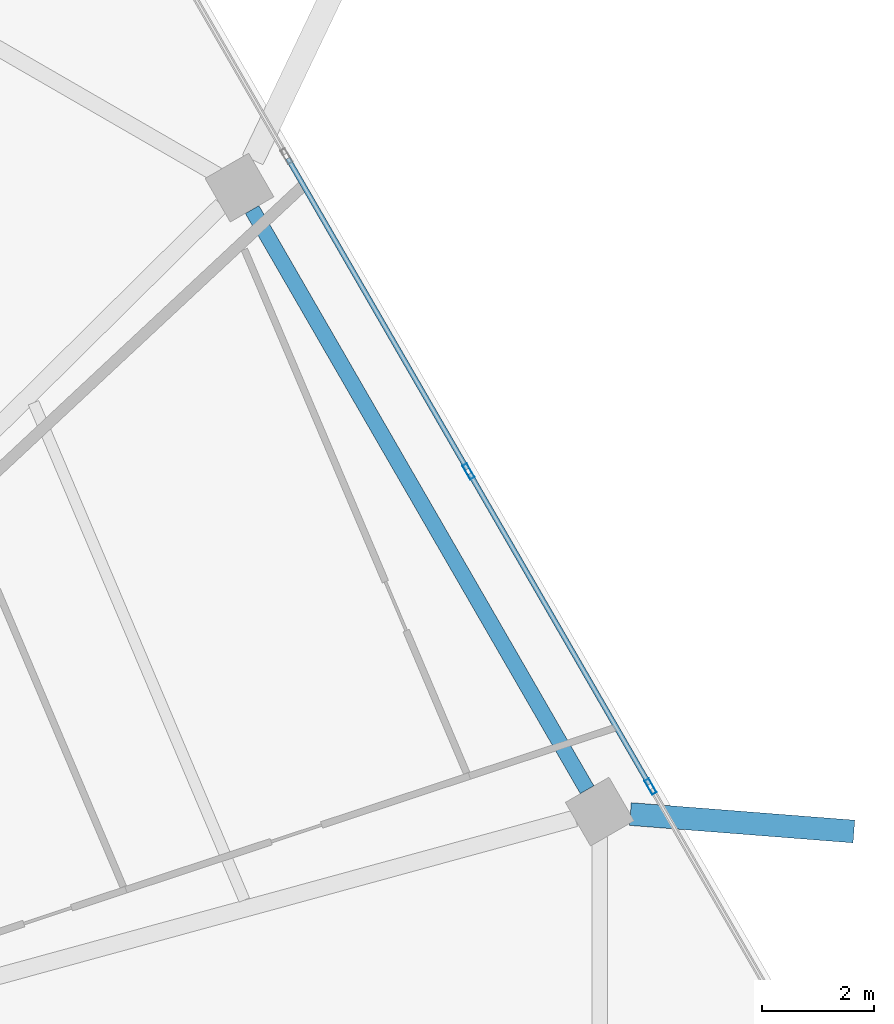
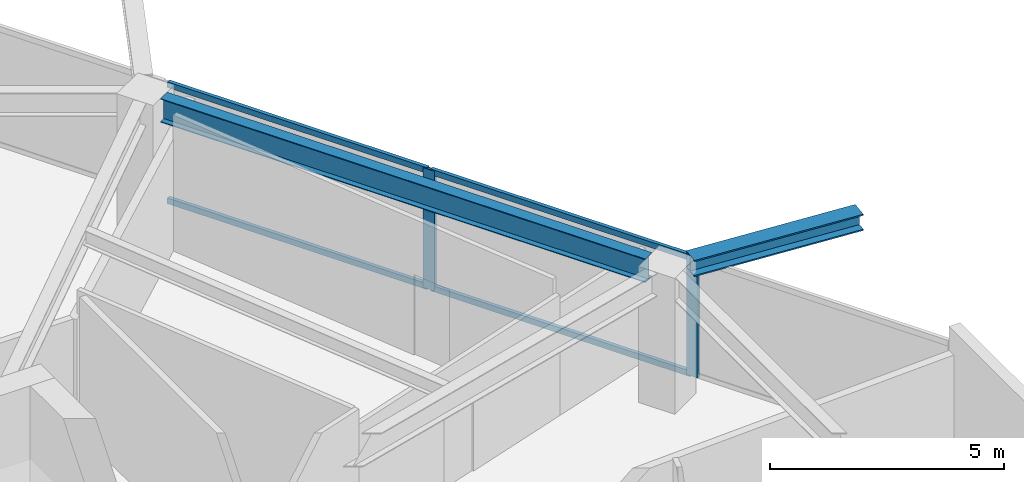
# One storey, part 15 of 25: 6 members, 2 beams, 1 element without a shape of its own.
"""IFC4 building model written with IfcOpenShell, lengths in metres."""

import ifcopenshell
import ifcopenshell.guid

model = None  # the IFC model being written
_history = None  # IfcOwnerHistory: only IFC2X3 demands one
_inside = {}  # id of a spatial element -> (the spatial element, [elements in it])
_under = {}  # id of a project, library or spatial element -> (it, [spatial elements below it])
_declared = {}  # id of a project -> (the project, [libraries it declares])
_typed = {}  # id of a type object -> (the type object, [elements of that type])
_made_of = {}  # id of a material, layer set ... -> (it, [elements and type objects made of it])


def new_model(schema):
    """Start an empty IFC model of exactly this schema.

    Asked for "IFC4X3", IfcOpenShell would pick the latest addendum, in which some entities
    have other attributes; the version numbers below select the first issue.
    IFC2X3 requires an IfcOwnerHistory on every rooted entity: one is made here for all.
    """
    global model, _history
    if schema == "IFC4X3":
        model = ifcopenshell.file(schema_version=(4, 3, 0, 0))
    else:
        model = ifcopenshell.file(schema=schema)
    _inside.clear()
    _under.clear()
    _declared.clear()
    _typed.clear()
    _made_of.clear()
    _history = None
    if model.schema == "IFC2X3":
        org = make("IfcOrganization", Name="unknown")
        user = make(
            "IfcPersonAndOrganization",
            ThePerson=make("IfcPerson", FamilyName="unknown"),
            TheOrganization=org,
        )
        app = make(
            "IfcApplication",
            ApplicationDeveloper=org,
            Version="unknown",
            ApplicationFullName="unknown",
            ApplicationIdentifier="unknown",
        )
        _history = make(
            "IfcOwnerHistory",
            OwningUser=user,
            OwningApplication=app,
            ChangeAction="ADDED",
            CreationDate=0,
        )
    return model


def make(cls, **values):
    """One entity of the class cls with the attributes given. An attribute that is None is left unset."""
    return model.create_entity(
        cls, **{name: value for name, value in values.items() if value is not None}
    )


def rooted(cls, **values):
    """An entity with a GlobalId (a new one), such as an element, a storey or a relation."""
    return make(cls, GlobalId=ifcopenshell.guid.new(), OwnerHistory=_history, **values)


def si_unit(unit_type, name, prefix=None):
    """IfcSIUnit, for example si_unit("LENGTHUNIT", "METRE", prefix="MILLI")."""
    return make("IfcSIUnit", UnitType=unit_type, Prefix=prefix, Name=name)


def assignment(units):
    """IfcUnitAssignment: the units of a project."""
    return None if units is None else make("IfcUnitAssignment", Units=units)


def point(xyz):
    """IfcCartesianPoint."""
    return None if xyz is None else make("IfcCartesianPoint", Coordinates=xyz)


def direction(xyz):
    """IfcDirection."""
    return None if xyz is None else make("IfcDirection", DirectionRatios=xyz)


def frame(location, z_axis=None, x_axis=None):
    """IfcAxis2Placement3D, a coordinate frame: its origin and axes. An axis left out is left unset."""
    return make(
        "IfcAxis2Placement3D",
        Location=point(location),
        Axis=direction(z_axis),
        RefDirection=direction(x_axis),
    )


def frame_2d(location, x_axis=None):
    """IfcAxis2Placement2D, a coordinate frame in the plane: its origin and x axis."""
    return make(
        "IfcAxis2Placement2D", Location=point(location), RefDirection=direction(x_axis)
    )


def origin():
    """The frame at (0, 0, 0) with its axes left unset."""
    return frame((0.0, 0.0, 0.0))


def origin_2d():
    """The frame at (0, 0) in the plane with its x axis left unset."""
    return frame_2d((0.0, 0.0))


def place(relative_to, where):
    """IfcLocalPlacement: puts the frame where relative to a parent placement (None: the world)."""
    return make(
        "IfcLocalPlacement", PlacementRelTo=relative_to, RelativePlacement=where
    )


def context(
    kind, dimensions, precision=None, world=None, true_north=None, identifier=None
):
    """IfcGeometricRepresentationContext, for example the 3D "Model" context."""
    return make(
        "IfcGeometricRepresentationContext",
        ContextIdentifier=identifier,
        ContextType=kind,
        CoordinateSpaceDimension=dimensions,
        Precision=precision,
        WorldCoordinateSystem=world,
        TrueNorth=true_north,
    )


def subcontext(parent, identifier, kind, view, scale=None):
    """IfcGeometricRepresentationSubContext, for example "Body" below "Model"."""
    return make(
        "IfcGeometricRepresentationSubContext",
        ContextIdentifier=identifier,
        ContextType=kind,
        ParentContext=parent,
        TargetScale=scale,
        TargetView=view,
    )


def project(units=None, contexts=None):
    """IfcProject with its units and contexts."""
    return rooted(
        "IfcProject",
        Name="project",
        RepresentationContexts=contexts,
        UnitsInContext=assignment(units),
    )


def spatial(cls, under=None, at=None, **own):
    """A site, building, storey or space (cls), placed at a placement, below another one or the project."""
    s = rooted(cls, ObjectPlacement=at, **own)
    if under is not None:
        _under.setdefault(under.id(), (under, []))[1].append(s)
    return s


def profile(cls, at=None, kind="AREA", **sizes):
    """A parametric profile (cls). Its sizes go by their IFC names, for example OverallWidth=200.0."""
    return make(cls, ProfileType=kind, Position=at, **sizes)


def hollow_rectangle(**sizes):
    """IfcRectangleHollowProfileDef."""
    return profile("IfcRectangleHollowProfileDef", **sizes)


def i_section(**sizes):
    """IfcIShapeProfileDef."""
    return profile("IfcIShapeProfileDef", **sizes)


def extrude(swept, where, along, depth):
    """IfcExtrudedAreaSolid: the profile swept, set in the frame where, extruded along a direction by depth."""
    return make(
        "IfcExtrudedAreaSolid",
        SweptArea=swept,
        Position=where,
        ExtrudedDirection=direction(along),
        Depth=depth,
    )


def shape(context_of_items, identifier, shape_type, items):
    """IfcShapeRepresentation: the items that make up one representation, for example the "Body"."""
    return make(
        "IfcShapeRepresentation",
        ContextOfItems=context_of_items,
        RepresentationIdentifier=identifier,
        RepresentationType=shape_type,
        Items=items,
    )


def material(Name=None, Category=None):
    """IfcMaterial."""
    return make("IfcMaterial", Name=Name, Category=Category)


def material_profile(
    of_material, cross_section, Name=None, Category=None, Priority=None
):
    """IfcMaterialProfile: a cross section and its material."""
    return make(
        "IfcMaterialProfile",
        Name=Name,
        Material=of_material,
        Profile=cross_section,
        Priority=Priority,
        Category=Category,
    )


def profile_set(profiles, Name=None, composite=None):
    """IfcMaterialProfileSet."""
    return make(
        "IfcMaterialProfileSet",
        Name=Name,
        MaterialProfiles=profiles,
        CompositeProfile=composite,
    )


def made_of(thing, what):
    """Note that an element or type object is made of a material, layer set ...; save() writes the relation."""
    if what is not None:
        _made_of.setdefault(what.id(), (what, []))[1].append(thing)
    return thing


def type_object(cls, material=None, **own):
    """A type object (cls), such as IfcWallType, which elements share."""
    return made_of(rooted(cls, **own), material)


def element(
    cls,
    number,
    at=None,
    inside=None,
    cuts=None,
    type_object=None,
    material=None,
    context=None,
    identifier="Body",
    shape_type=None,
    held_by="IfcProductDefinitionShape",
    body=None,
    shapes=None,
    **own,
):
    """One element of the class cls, such as IfcWall. Its Tag is "e" and its number.

    at: its placement. inside: the storey or other place that contains it. cuts: it is an
    opening in that element (IfcRelVoidsElement). A single representation is given by context,
    identifier, shape_type and body (its items); several are given by shapes. held_by: the class
    of the entity that holds the representations. save() writes the other relations.
    """
    e = rooted(cls, Tag="e%d" % number, ObjectPlacement=at, **own)
    if body is not None:
        shapes = [shape(context, identifier, shape_type, body)]
    if shapes is not None:
        e.Representation = make(held_by, Representations=shapes)
    if inside is not None:
        _inside.setdefault(inside.id(), (inside, []))[1].append(e)
    if cuts is not None:
        rooted(
            "IfcRelVoidsElement", RelatingBuildingElement=cuts, RelatedOpeningElement=e
        )
    if type_object is not None:
        _typed.setdefault(type_object.id(), (type_object, []))[1].append(e)
    return made_of(e, material)


def aggregate(whole, parts):
    """IfcRelAggregates: a whole, such as a stair, and the parts it consists of."""
    return rooted("IfcRelAggregates", RelatingObject=whole, RelatedObjects=parts)


def save(model, path):
    """Write the relations noted so far, then the file.

    IfcRelAggregates (storeys below a building ...), IfcRelContainedInSpatialStructure (elements
    in a storey), IfcRelDefinesByType, IfcRelAssociatesMaterial and IfcRelDeclares: one each for
    every whole, place, type object, material and project.
    """
    for whole, parts in _under.values():
        aggregate(whole, parts)
    for where, things in _inside.values():
        rooted(
            "IfcRelContainedInSpatialStructure",
            RelatedElements=things,
            RelatingStructure=where,
        )
    for kind, things in _typed.values():
        rooted("IfcRelDefinesByType", RelatedObjects=things, RelatingType=kind)
    for what, things in _made_of.values():
        rooted("IfcRelAssociatesMaterial", RelatedObjects=things, RelatingMaterial=what)
    for by, libraries in _declared.values():
        rooted("IfcRelDeclares", RelatingContext=by, RelatedDefinitions=libraries)
    model.write(path)


model = new_model("IFC4")

# Units and contexts
model_context = context("Model", 3, precision=1e-05, world=origin(), true_north=direction((0.0, 1.0)))
body_context = subcontext(model_context, "Body", "Model", "MODEL_VIEW")
ifc_project = project(units=[si_unit("LENGTHUNIT", "METRE"), si_unit("AREAUNIT", "SQUARE_METRE"), si_unit("VOLUMEUNIT", "CUBIC_METRE"), si_unit("PLANEANGLEUNIT", "RADIAN"), si_unit("MASSUNIT", "GRAM", prefix="KILO")], contexts=[model_context])

# Site, building, storey
site_placement = place(None, origin())
site = spatial("IfcSite", under=ifc_project, at=site_placement, CompositionType="ELEMENT")
building_placement = place(site_placement, origin())
building = spatial("IfcBuilding", under=site, at=building_placement, Name="Zuhravey Tower", CompositionType="ELEMENT")
storey_placement = place(building_placement, frame((0.0, 0.0, 257.800048828125)))
storey = spatial("IfcBuildingStorey", under=building, at=storey_placement, Name="L65", CompositionType="ELEMENT", Elevation=257.800048828125)

# Curtain wall, members
ifc_material_1 = material(Name="Thermally broken anodised aluminium", Category="aluminium")
curtain_wall_type = type_object("IfcCurtainWallType", Name="Zone 3-4 High-Rise Curtain Wall CW4", PredefinedType="NOTDEFINED", material=ifc_material_1)
curtain_wall_placement = place(storey_placement, origin())
curtain_wall = element("IfcCurtainWall", 1, at=curtain_wall_placement, inside=storey, type_object=curtain_wall_type, Name="L65 CW4 CW-L65-F1-1", PredefinedType="NOTDEFINED")
ifc_material_2 = material(Name="Anodised aluminium", Category="aluminium")
ifc_material_profile_1 = material_profile(ifc_material_2, hollow_rectangle(XDim=0.090087890625, YDim=0.284912109375, WallThickness=0.0048828125, at=origin_2d()), Name="ALU-RHS-90x285x5")
ifc_profile_set_1 = profile_set([ifc_material_profile_1], Name="Anodised aluminium")
member_type_1 = type_object("IfcMemberType", Name="Curtain-Wall Mullion 90x180", PredefinedType="MULLION", material=ifc_profile_set_1)
member_1_placement = place(storey_placement, frame((58.138671875, 44.78173828125, 0.0), z_axis=(0.0, 0.0, 1.0), x_axis=(0.866024851021, 0.500000957414, 0.0)))
member_1 = element("IfcMember", 2, at=member_1_placement, type_object=member_type_1, Name="CW4 mullion 3", PredefinedType="MULLION", context=body_context, shape_type="SweptSolid", body=[
    extrude(hollow_rectangle(XDim=0.090087890625, YDim=0.284912109375, WallThickness=0.0048828125, at=origin_2d()), origin(), (0.0, 0.0, 1.0), 3.1220703125),
])
member_2_placement = place(storey_placement, frame((61.391845703125, 39.147216796875, 0.0), z_axis=(0.0, 0.0, 1.0), x_axis=(0.866024851021, 0.500000957414, 0.0)))
member_2 = element("IfcMember", 3, at=member_2_placement, type_object=member_type_1, Name="CW4 mullion 4", PredefinedType="MULLION", context=body_context, shape_type="SweptSolid", body=[
    extrude(hollow_rectangle(XDim=0.090087890625, YDim=0.284912109375, WallThickness=0.0048828125, at=origin_2d()), origin(), (0.0, 0.0, 1.0), 3.1220703125),
])
ifc_material_profile_2 = material_profile(ifc_material_2, hollow_rectangle(XDim=0.090087890625, YDim=0.14990234375, WallThickness=0.0048828125, at=origin_2d()), Name="ALU-RHS-90x150x5")
ifc_profile_set_2 = profile_set([ifc_material_profile_2], Name="Anodised aluminium")
member_type_2 = type_object("IfcMemberType", Name="Curtain-Wall Transom 90x150", PredefinedType="USERDEFINED", material=ifc_profile_set_2)
member_3_placement = place(storey_placement, frame((54.907958984375, 50.37744140625, 0.044921875), z_axis=(0.500014493347, -0.866017035885, 0.0), x_axis=(0.866017035885, 0.500014493347, 0.0)))
member_3 = element("IfcMember", 4, at=member_3_placement, type_object=member_type_2, Name="CW4 transom 2.1", ObjectType="TRANSOM", PredefinedType="USERDEFINED", context=body_context, shape_type="SweptSolid", body=[
    extrude(hollow_rectangle(XDim=0.090087890625, YDim=0.14990234375, WallThickness=0.0048828125, at=origin_2d()), origin(), (0.0, 0.0, 1.0), 6.416259765625),
])
member_4_placement = place(storey_placement, frame((54.907958984375, 50.37744140625, 3.076904296875), z_axis=(0.500014493347, -0.866017035885, 0.0), x_axis=(0.866017035885, 0.500014493347, 0.0)))
member_4 = element("IfcMember", 5, at=member_4_placement, type_object=member_type_2, Name="CW4 transom 2.2", ObjectType="TRANSOM", PredefinedType="USERDEFINED", context=body_context, shape_type="SweptSolid", body=[
    extrude(hollow_rectangle(XDim=0.090087890625, YDim=0.14990234375, WallThickness=0.0048828125, at=origin_2d()), origin(), (0.0, 0.0, 1.0), 6.416259765625),
])
member_5_placement = place(storey_placement, frame((58.1611328125, 44.742919921875, 0.044921875), z_axis=(0.499998017366, -0.866026548456, 0.0), x_axis=(0.866026548456, 0.499998017366, 0.0)))
member_5 = element("IfcMember", 6, at=member_5_placement, type_object=member_type_2, Name="CW4 transom 3.1", ObjectType="TRANSOM", PredefinedType="USERDEFINED", context=body_context, shape_type="SweptSolid", body=[
    extrude(hollow_rectangle(XDim=0.090087890625, YDim=0.14990234375, WallThickness=0.0048828125, at=origin_2d()), origin(), (0.0, 0.0, 1.0), 6.41650390625),
])
member_6_placement = place(storey_placement, frame((58.1611328125, 44.742919921875, 3.076904296875), z_axis=(0.499998017366, -0.866026548456, 0.0), x_axis=(0.866026548456, 0.499998017366, 0.0)))
member_6 = element("IfcMember", 7, at=member_6_placement, type_object=member_type_2, Name="CW4 transom 3.2", ObjectType="TRANSOM", PredefinedType="USERDEFINED", context=body_context, shape_type="SweptSolid", body=[
    extrude(hollow_rectangle(XDim=0.090087890625, YDim=0.14990234375, WallThickness=0.0048828125, at=origin_2d()), origin(), (0.0, 0.0, 1.0), 6.41650390625),
])
aggregate(curtain_wall, [member_1, member_2, member_3, member_4, member_5, member_6])

# Beams
ifc_material_3 = material(Name="Steel SM460", Category="steel")
ifc_material_profile_3 = material_profile(ifc_material_3, i_section(OverallWidth=0.406982421875, OverallDepth=0.427978515625, WebThickness=0.02001953125, FlangeThickness=0.034912109375, at=origin_2d()), Name="H-428x407x20x35")
ifc_profile_set_3 = profile_set([ifc_material_profile_3], Name="Steel SM460")
beam_type_1 = type_object("IfcBeamType", Name="Exoskeleton Node Tie Beam H428x407", PredefinedType="BEAM", material=ifc_profile_set_3)
beam_1_placement = place(storey_placement, frame((61.03271484375, 38.656005859375, 3.3359375), z_axis=(0.996960589137, -0.077907533055, 0.0), x_axis=(0.077907533055, 0.996960589137, 0.0)))
element("IfcBeam", 8, at=beam_1_placement, inside=storey, type_object=beam_type_1, Name="L65 Exoskeleton Node Tie NT1-01", PredefinedType="BEAM", context=body_context, shape_type="SweptSolid", body=[
    extrude(i_section(OverallWidth=0.406982421875, OverallDepth=0.427978515625, WebThickness=0.02001953125, FlangeThickness=0.034912109375, at=origin_2d()), origin(), (0.0, 0.0, 1.0), 4.008056640625),
])
ifc_material_4 = material(Name="Steel SM355", Category="steel")
ifc_material_profile_4 = material_profile(ifc_material_4, i_section(OverallWidth=0.280029296875, OverallDepth=0.6201171875, WebThickness=0.011962890625, FlangeThickness=0.02001953125, at=origin_2d()), Name="H-620x280x12x20")
ifc_profile_set_4 = profile_set([ifc_material_profile_4], Name="Steel SM355")
beam_type_2 = type_object("IfcBeamType", Name="Perimeter Ring Beam H620x280", PredefinedType="BEAM", material=ifc_profile_set_4)
beam_2_placement = place(storey_placement, frame((60.258056640625, 39.09130859375, 3.239990234375), z_axis=(-0.500017744717, 0.866015158625, 0.0), x_axis=(-0.866015158625, -0.500017744717, 0.0)))
element("IfcBeam", 9, at=beam_2_placement, inside=storey, type_object=beam_type_2, Name="L65 PB3 BM-L65-PB-01", PredefinedType="BEAM", context=body_context, shape_type="SweptSolid", body=[
    extrude(i_section(OverallWidth=0.280029296875, OverallDepth=0.6201171875, WebThickness=0.011962890625, FlangeThickness=0.02001953125, at=origin_2d()), origin(), (0.0, 0.0, 1.0), 11.9755859375),
])

save(model, "model.ifc")
